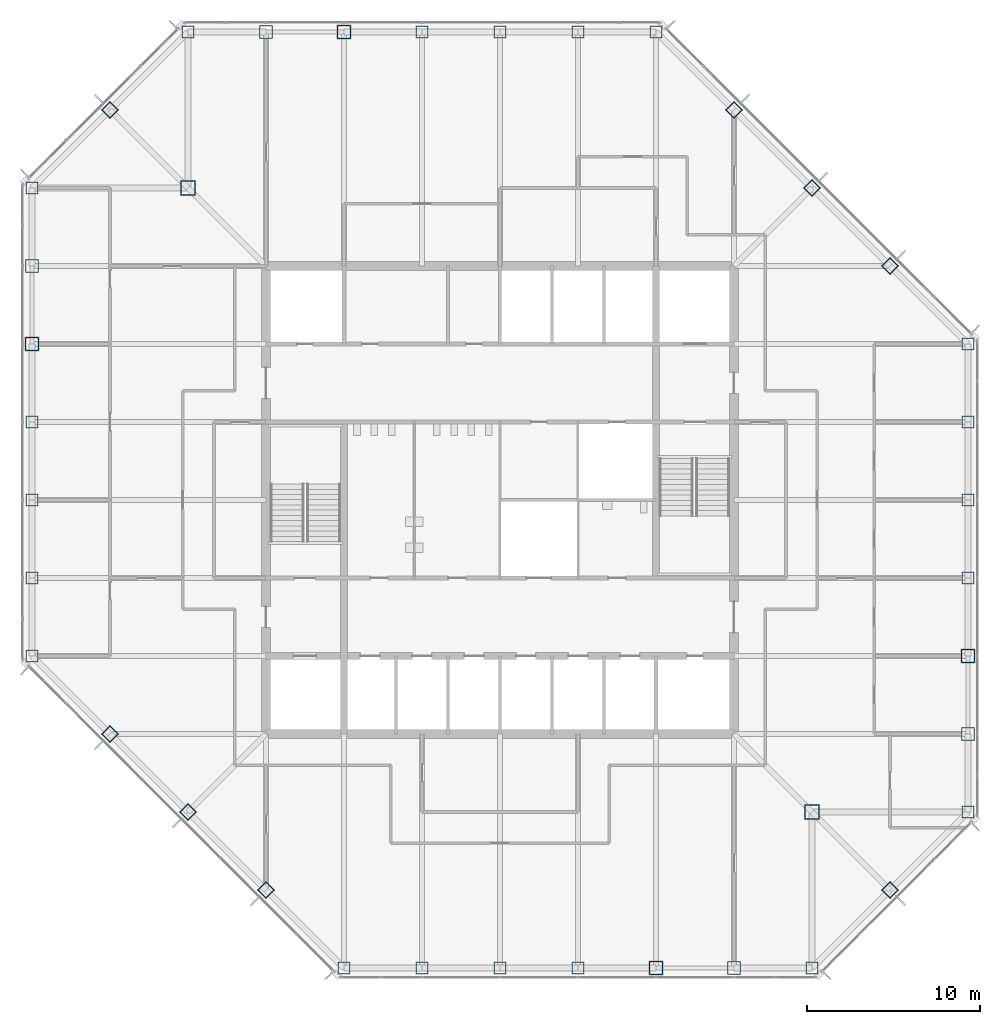
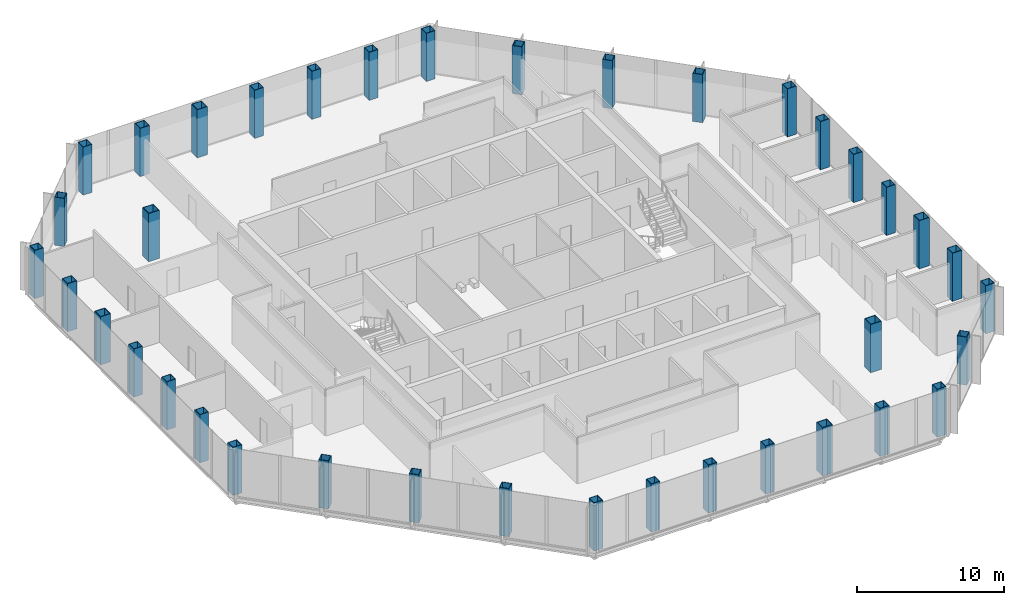
# One storey, part 1 of 13: 38 columns.
"""IFC4 building model written with IfcOpenShell, lengths in metres."""

from ifc_helpers import new_model, si_unit, direction, frame, origin, origin_2d, place, context, subcontext, project, spatial, hollow_rectangle, extrude, material, material_profile, profile_set, type_object, element, save


model = new_model("IFC4")

# Units and contexts
model_context = context("Model", 3, precision=1e-05, world=origin(), true_north=direction((0.0, 1.0)))
body_context = subcontext(model_context, "Body", "Model", "MODEL_VIEW")
ifc_project = project(units=[si_unit("LENGTHUNIT", "METRE"), si_unit("AREAUNIT", "SQUARE_METRE"), si_unit("VOLUMEUNIT", "CUBIC_METRE"), si_unit("PLANEANGLEUNIT", "RADIAN"), si_unit("MASSUNIT", "GRAM", prefix="KILO")], contexts=[model_context])

# Site, building, storey
site_placement = place(None, origin())
site = spatial("IfcSite", under=ifc_project, at=site_placement, CompositionType="ELEMENT")
building_placement = place(site_placement, origin())
building = spatial("IfcBuilding", under=site, at=building_placement, Name="Corais Broadcast Tower", CompositionType="ELEMENT")
storey_placement = place(building_placement, frame((0.0, 0.0, 179.60009765625)))
storey = spatial("IfcBuildingStorey", under=building, at=storey_placement, Name="L41", CompositionType="ELEMENT", Elevation=179.60009765625)

# Columns
ifc_material_1 = material(Name="Steel ASTM A572 Grade 50", Category="steel")
ifc_material_profile_1 = material_profile(ifc_material_1, hollow_rectangle(XDim=0.699951171875, YDim=0.699951171875, WallThickness=0.035888671875, at=origin_2d()), Name="BOX 700x700x36")
ifc_profile_set_1 = profile_set([ifc_material_profile_1], Name="Steel ASTM A572 Grade 50")
column_type_1 = type_object("IfcColumnType", Name="Column BOX 700x700x36", PredefinedType="COLUMN", material=ifc_profile_set_1)
for number, where, z_axis, x_axis, name in (
    (1, (18.0, 0.0, 0.0), (0.0, 0.0, 1.0), (1.0, 0.0, 0.0), "C5 A/7"),
    (2, (22.5, 0.0, 0.0), (0.0, 0.0, 1.0), (1.0, 0.0, 0.0), "C5 A/8"),
    (3, (27.0, 0.0, 0.0), (0.0, 0.0, 1.0), (1.0, 0.0, 0.0), "C5 A/9"),
    (4, (31.5, 0.0, 0.0), (0.0, 0.0, 1.0), (1.0, 0.0, 0.0), "C5 A/10"),
    (5, (45.0, 0.0, 0.0), (0.0, 0.0, 1.0), (1.0, 0.0, 0.0), "C5 A/13"),
    (6, (54.0, 9.0, 0.0), (0.0, 0.0, 1.0), (1.0, 0.0, 0.0), "C5 C/15"),
    (7, (54.0, 22.5, 0.0), (0.0, 0.0, 1.0), (1.0, 0.0, 0.0), "C5 F/15"),
    (8, (54.0, 27.0, 0.0), (0.0, 0.0, 1.0), (1.0, 0.0, 0.0), "C5 G/15"),
    (9, (54.0, 31.5, 0.0), (0.0, 0.0, 1.0), (1.0, 0.0, 0.0), "C5 H/15"),
    (10, (54.0, 36.0, 0.0), (0.0, 0.0, 1.0), (1.0, 0.0, 0.0), "C5 J/15"),
    (11, (36.0, 54.0, 0.0), (0.0, 0.0, 1.0), (1.0, 0.0, 0.0), "C5 N/11"),
    (12, (31.5, 54.0, 0.0), (0.0, 0.0, 1.0), (1.0, 0.0, 0.0), "C5 N/10"),
    (13, (27.0, 54.0, 0.0), (0.0, 0.0, 1.0), (1.0, 0.0, 0.0), "C5 N/9"),
    (14, (22.5, 54.0, 0.0), (0.0, 0.0, 1.0), (1.0, 0.0, 0.0), "C5 N/8"),
    (15, (9.0, 54.0, 0.0), (0.0, 0.0, 1.0), (1.0, 0.0, 0.0), "C5 N/5"),
    (16, (0.0, 45.0, 0.0), (0.0, 0.0, 1.0), (1.0, 0.0, 0.0), "C5 L/3"),
    (17, (0.0, 31.5, 0.0), (0.0, 0.0, 1.0), (1.0, 0.0, 0.0), "C5 H/3"),
    (18, (0.0, 27.0, 0.0), (0.0, 0.0, 1.0), (1.0, 0.0, 0.0), "C5 G/3"),
    (19, (0.0, 22.5, 0.0), (0.0, 0.0, 1.0), (1.0, 0.0, 0.0), "C5 F/3"),
    (20, (0.0, 18.0, 0.0), (0.0, 0.0, 1.0), (1.0, 0.0, 0.0), "C5 E/3"),
    (21, (13.5, 4.5, 0.0), (0.0, 0.0, 1.0), (0.707106781187, 0.707106781187, 0.0), "C5 B/6"),
    (22, (9.0, 9.0, 0.0), (0.0, 0.0, 1.0), (0.707106781187, 0.707106781187, 0.0), "C5 C/5"),
    (23, (4.5, 13.5, 0.0), (0.0, 0.0, 1.0), (0.707106781187, 0.707106781187, 0.0), "C5 D/4"),
    (24, (49.5, 4.5, 0.0), (0.0, 0.0, 1.0), (0.707106781187, 0.707106781187, 0.0), "C5 B/14"),
    (25, (49.5, 40.5, 0.0), (0.0, 0.0, 1.0), (0.707106781187, 0.707106781187, 0.0), "C5 K/14"),
    (26, (45.0, 45.0, 0.0), (0.0, 0.0, 1.0), (0.707106781187, 0.707106781187, 0.0), "C5 L/13"),
    (27, (40.5, 49.5, 0.0), (0.0, 0.0, 1.0), (0.707106781187, 0.707106781187, 0.0), "C5 M/12"),
    (28, (4.5, 49.5, 0.0), (0.0, 0.0, 1.0), (0.707106781187, 0.707106781187, 0.0), "C5 M/4"),
):
    element("IfcColumn", number, at=place(storey_placement, frame(where, z_axis=z_axis, x_axis=x_axis)), inside=storey, type_object=column_type_1, Name=name, PredefinedType="COLUMN", context=body_context, shape_type="SweptSolid", body=[
        extrude(hollow_rectangle(XDim=0.699951171875, YDim=0.699951171875, WallThickness=0.035888671875, at=origin_2d()), origin(), (0.0, 0.0, 1.0), 4.0),
    ])
ifc_material_2 = material(Name="Steel ASTM A572 Grade 50", Category="steel")
ifc_material_profile_2 = material_profile(ifc_material_2, hollow_rectangle(XDim=0.75, YDim=0.75, WallThickness=0.0400390625, at=origin_2d()), Name="BOX 750x750x40")
ifc_profile_set_2 = profile_set([ifc_material_profile_2], Name="Steel ASTM A572 Grade 50")
column_type_2 = type_object("IfcColumnType", Name="Column BOX 750x750x40", PredefinedType="COLUMN", material=ifc_profile_set_2)
for number, where, z_axis, x_axis, name in (
    (29, (40.5, 0.0, 0.0), (0.0, 0.0, 1.0), (1.0, 0.0, 0.0), "C4 A/12"),
    (30, (54.0, 13.5, 0.0), (0.0, 0.0, 1.0), (1.0, 0.0, 0.0), "C4 D/15"),
    (31, (13.5, 54.0, 0.0), (0.0, 0.0, 1.0), (1.0, 0.0, 0.0), "C4 N/6"),
    (32, (0.0, 40.5, 0.0), (0.0, 0.0, 1.0), (1.0, 0.0, 0.0), "C4 K/3"),
):
    element("IfcColumn", number, at=place(storey_placement, frame(where, z_axis=z_axis, x_axis=x_axis)), inside=storey, type_object=column_type_2, Name=name, PredefinedType="COLUMN", context=body_context, shape_type="SweptSolid", body=[
        extrude(hollow_rectangle(XDim=0.75, YDim=0.75, WallThickness=0.0400390625, at=origin_2d()), origin(), (0.0, 0.0, 1.0), 4.0),
    ])
ifc_material_3 = material(Name="Steel ASTM A572 Grade 50", Category="steel")
ifc_material_profile_3 = material_profile(ifc_material_3, hollow_rectangle(XDim=0.800048828125, YDim=0.800048828125, WallThickness=0.044921875, at=origin_2d()), Name="BOX 800x800x45")
ifc_profile_set_3 = profile_set([ifc_material_profile_3], Name="Steel ASTM A572 Grade 50")
column_type_3 = type_object("IfcColumnType", Name="Column BOX 800x800x45", PredefinedType="COLUMN", material=ifc_profile_set_3)
for number, where, z_axis, x_axis, name in (
    (33, (36.0, 0.0, 0.0), (0.0, 0.0, 1.0), (1.0, 0.0, 0.0), "C3 A/11"),
    (34, (54.0, 18.0, 0.0), (0.0, 0.0, 1.0), (1.0, 0.0, 0.0), "C3 E/15"),
    (35, (18.0, 54.0, 0.0), (0.0, 0.0, 1.0), (1.0, 0.0, 0.0), "C3 N/7"),
    (36, (0.0, 36.0, 0.0), (0.0, 0.0, 1.0), (1.0, 0.0, 0.0), "C3 J/3"),
):
    element("IfcColumn", number, at=place(storey_placement, frame(where, z_axis=z_axis, x_axis=x_axis)), inside=storey, type_object=column_type_3, Name=name, PredefinedType="COLUMN", context=body_context, shape_type="SweptSolid", body=[
        extrude(hollow_rectangle(XDim=0.800048828125, YDim=0.800048828125, WallThickness=0.044921875, at=origin_2d()), origin(), (0.0, 0.0, 1.0), 4.0),
    ])
ifc_material_4 = material(Name="Steel ASTM A572 Grade 50", Category="steel")
ifc_material_profile_4 = material_profile(ifc_material_4, hollow_rectangle(XDim=0.85009765625, YDim=0.85009765625, WallThickness=0.050048828125, at=origin_2d()), Name="BOX 850x850x50")
ifc_profile_set_4 = profile_set([ifc_material_profile_4], Name="Steel ASTM A572 Grade 50")
column_type_4 = type_object("IfcColumnType", Name="Column BOX 850x850x50", PredefinedType="COLUMN", material=ifc_profile_set_4)
for number, where, z_axis, x_axis, name in (
    (37, (45.0, 9.0, 0.0), (0.0, 0.0, 1.0), (1.0, 0.0, 0.0), "C1 C/13"),
    (38, (9.0, 45.0, 0.0), (0.0, 0.0, 1.0), (1.0, 0.0, 0.0), "C1 L/5"),
):
    element("IfcColumn", number, at=place(storey_placement, frame(where, z_axis=z_axis, x_axis=x_axis)), inside=storey, type_object=column_type_4, Name=name, PredefinedType="COLUMN", context=body_context, shape_type="SweptSolid", body=[
        extrude(hollow_rectangle(XDim=0.85009765625, YDim=0.85009765625, WallThickness=0.050048828125, at=origin_2d()), origin(), (0.0, 0.0, 1.0), 4.0),
    ])

save(model, "model.ifc")
